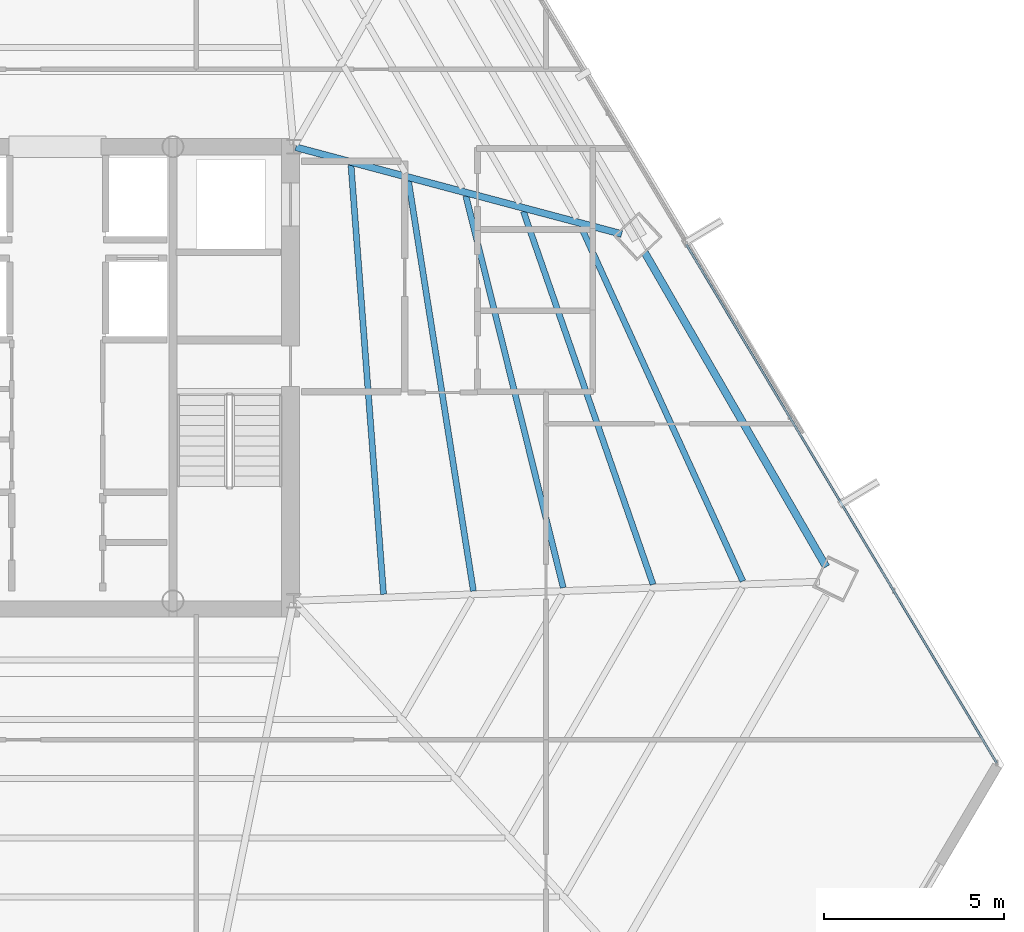
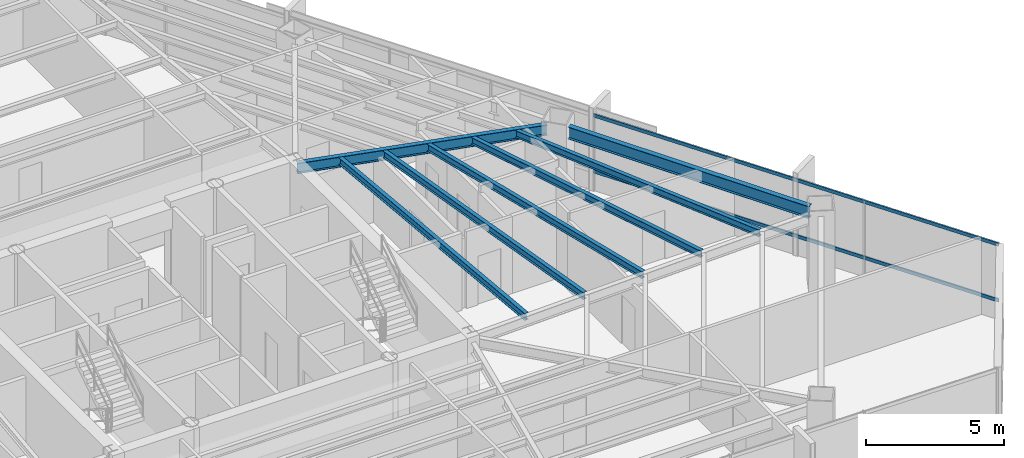
# One storey, part 22 of 41: 7 beams, 2 members, 1 element without a shape of its own.
"""IFC4 building model written with IfcOpenShell, lengths in metres."""

from ifc_helpers import new_model, si_unit, direction, frame, origin, origin_2d, place, context, subcontext, project, spatial, hollow_rectangle, i_section, extrude, source, transform, mapped, material, material_profile, profile_set, type_object, type_shapes, element, aggregate, save


model = new_model("IFC4")

# Units and contexts
model_context = context("Model", 3, precision=1e-05, world=origin(), true_north=direction((0.0, 1.0)))
body_context = subcontext(model_context, "Body", "Model", "MODEL_VIEW")
ifc_project = project(units=[si_unit("LENGTHUNIT", "METRE"), si_unit("AREAUNIT", "SQUARE_METRE"), si_unit("VOLUMEUNIT", "CUBIC_METRE"), si_unit("PLANEANGLEUNIT", "RADIAN"), si_unit("MASSUNIT", "GRAM", prefix="KILO")], contexts=[model_context])

# Site, building, storey
site_placement = place(None, origin())
site = spatial("IfcSite", under=ifc_project, at=site_placement, CompositionType="ELEMENT")
building_placement = place(site_placement, origin())
building = spatial("IfcBuilding", under=site, at=building_placement, Name="Caelisora Broadcast Tower", CompositionType="ELEMENT")
storey_placement = place(building_placement, frame((0.0, 0.0, 162.14990234375)))
storey = spatial("IfcBuildingStorey", under=building, at=storey_placement, Name="L42", CompositionType="ELEMENT", Elevation=162.14990234375)

# Beams
ifc_material_1 = material(Name="Steel Grade 350 (AS/NZS 3679.1)", Category="steel")
ifc_material_profile_1 = material_profile(ifc_material_1, i_section(OverallWidth=0.208984375, OverallDepth=0.532958984375, WebThickness=0.01025390625, FlangeThickness=0.015625, at=origin_2d()), Name="Steel Grade 350 (AS/NZS 3679.1)")
ifc_profile_set_1 = profile_set([ifc_material_profile_1], Name="Steel Grade 350 (AS/NZS 3679.1)")
beam_type_1 = type_object("IfcBeamType", Name="PG05", PredefinedType="BEAM", material=ifc_profile_set_1)
shared_shape_1 = source(origin(), body_context, "Body", "SweptSolid", [
    extrude(i_section(OverallWidth=0.208984375, OverallDepth=0.532958984375, WebThickness=0.01025390625, FlangeThickness=0.015625, at=origin_2d()), origin(), (0.0, 0.0, 1.0), 10.07568359375),
])
type_shapes(beam_type_1, [shared_shape_1])
beam_1_placement = place(storey_placement, frame((60.27392578125, 18.345703125, 3.133544921875), z_axis=(-0.49999861938, 0.866026200884, 0.0), x_axis=(-0.866026200884, -0.49999861938, 0.0)))
element("IfcBeam", 1, at=beam_1_placement, inside=storey, type_object=beam_type_1, Name="L42 beam PG05", PredefinedType="BEAM", context=body_context, shape_type="MappedRepresentation", body=[
    mapped(shared_shape_1, transform((0.0, 0.0, 0.0), scale=1.0)),
])
ifc_material_profile_2 = material_profile(ifc_material_1, i_section(OverallWidth=0.19091796875, OverallDepth=0.46044921875, WebThickness=0.010009765625, FlangeThickness=0.01611328125, at=origin_2d()), Name="Steel Grade 350 (AS/NZS 3679.1)")
ifc_profile_set_2 = profile_set([ifc_material_profile_2], Name="Steel Grade 350 (AS/NZS 3679.1)")
beam_type_2 = type_object("IfcBeamType", Name="PG06", PredefinedType="BEAM", material=ifc_profile_set_2)
shared_shape_2 = source(origin(), body_context, "Body", "SweptSolid", [
    extrude(i_section(OverallWidth=0.19091796875, OverallDepth=0.46044921875, WebThickness=0.010009765625, FlangeThickness=0.01611328125, at=origin_2d()), origin(), (0.0, 0.0, 1.0), 9.35693359375),
])
type_shapes(beam_type_2, [shared_shape_2])
beam_2_placement = place(storey_placement, frame((45.55810546875, 29.984619140625, 3.169921875), z_axis=(0.966353497444, -0.257217647095, 0.0), x_axis=(0.257217647095, 0.966353497444, 0.0)))
element("IfcBeam", 2, at=beam_2_placement, inside=storey, type_object=beam_type_2, Name="L42 beam PG06", PredefinedType="BEAM", context=body_context, shape_type="MappedRepresentation", body=[
    mapped(shared_shape_2, transform((0.0, 0.0, 0.0), scale=1.0)),
])
ifc_material_profile_3 = material_profile(ifc_material_1, i_section(OverallWidth=0.166015625, OverallDepth=0.30712890625, WebThickness=0.006591796875, FlangeThickness=0.01171875, at=origin_2d()), Name="Steel Grade 350 (AS/NZS 3679.1)")
ifc_profile_set_3 = profile_set([ifc_material_profile_3], Name="Steel Grade 350 (AS/NZS 3679.1)")
beam_type_3 = type_object("IfcBeamType", Name="SB03", PredefinedType="JOIST", material=ifc_profile_set_3)
shared_shape_3 = source(origin(), body_context, "Body", "SweptSolid", [
    extrude(i_section(OverallWidth=0.166015625, OverallDepth=0.30712890625, WebThickness=0.006591796875, FlangeThickness=0.01171875, at=origin_2d()), origin(), (0.0, 0.0, 1.0), 11.93115234375),
])
beam_3_placement = place(storey_placement, frame((47.99365234375, 17.58349609375, 3.24658203125), z_axis=(-0.075588586087, 0.997139090425, 0.0), x_axis=(-0.997139090425, -0.075588586087, 0.0)))
element("IfcBeam", 3, at=beam_3_placement, inside=storey, type_object=beam_type_3, Name="L42 beam SB03", PredefinedType="JOIST", context=body_context, shape_type="MappedRepresentation", body=[
    mapped(shared_shape_3, transform((0.0, 0.0, 0.0), scale=1.0)),
])
shared_shape_4 = source(origin(), body_context, "Body", "SweptSolid", [
    extrude(i_section(OverallWidth=0.166015625, OverallDepth=0.30712890625, WebThickness=0.006591796875, FlangeThickness=0.01171875, at=origin_2d()), origin(), (0.0, 0.0, 1.0), 11.523681640625),
])
beam_4_placement = place(storey_placement, frame((50.48681640625, 17.674560546875, 3.24658203125), z_axis=(-0.156395555916, 0.987694502409, 0.0), x_axis=(-0.987694502409, -0.156395555916, 0.0)))
element("IfcBeam", 4, at=beam_4_placement, inside=storey, type_object=beam_type_3, Name="L42 beam SB03", PredefinedType="JOIST", context=body_context, shape_type="MappedRepresentation", body=[
    mapped(shared_shape_4, transform((0.0, 0.0, 0.0), scale=1.0)),
])
shared_shape_5 = source(origin(), body_context, "Body", "SweptSolid", [
    extrude(i_section(OverallWidth=0.166015625, OverallDepth=0.30712890625, WebThickness=0.006591796875, FlangeThickness=0.01171875, at=origin_2d()), origin(), (0.0, 0.0, 1.0), 11.197265625),
])
beam_5_placement = place(storey_placement, frame((52.97900390625, 17.765380859375, 3.24658203125), z_axis=(-0.241170729956, 0.970482704128, 0.0), x_axis=(-0.970482704128, -0.241170729956, 0.0)))
element("IfcBeam", 5, at=beam_5_placement, inside=storey, type_object=beam_type_3, Name="L42 beam SB03", PredefinedType="JOIST", context=body_context, shape_type="MappedRepresentation", body=[
    mapped(shared_shape_5, transform((0.0, 0.0, 0.0), scale=1.0)),
])
shared_shape_6 = source(origin(), body_context, "Body", "SweptSolid", [
    extrude(i_section(OverallWidth=0.166015625, OverallDepth=0.30712890625, WebThickness=0.006591796875, FlangeThickness=0.01171875, at=origin_2d()), origin(), (0.0, 0.0, 1.0), 10.957763671875),
])
beam_6_placement = place(storey_placement, frame((55.470703125, 17.8564453125, 3.24658203125), z_axis=(-0.328206920724, 0.944605852824, 0.0), x_axis=(-0.944605852824, -0.328206920724, 0.0)))
element("IfcBeam", 6, at=beam_6_placement, inside=storey, type_object=beam_type_3, Name="L42 beam SB03", PredefinedType="JOIST", context=body_context, shape_type="MappedRepresentation", body=[
    mapped(shared_shape_6, transform((0.0, 0.0, 0.0), scale=1.0)),
])
shared_shape_7 = source(origin(), body_context, "Body", "SweptSolid", [
    extrude(i_section(OverallWidth=0.166015625, OverallDepth=0.30712890625, WebThickness=0.006591796875, FlangeThickness=0.01171875, at=origin_2d()), origin(), (0.0, 0.0, 1.0), 10.81103515625),
])
type_shapes(beam_type_3, [shared_shape_3, shared_shape_4, shared_shape_5, shared_shape_6, shared_shape_7])
beam_7_placement = place(storey_placement, frame((57.961669921875, 17.947509765625, 3.24658203125), z_axis=(-0.415318349989, 0.909676133666, 0.0), x_axis=(-0.909676133666, -0.415318349989, 0.0)))
element("IfcBeam", 7, at=beam_7_placement, inside=storey, type_object=beam_type_3, Name="L42 beam SB03", PredefinedType="JOIST", context=body_context, shape_type="MappedRepresentation", body=[
    mapped(shared_shape_7, transform((0.0, 0.0, 0.0), scale=1.0)),
])

# Curtain wall, members
ifc_material_2 = material(Name="Unitised Aluminium and Low-E Glass Curtain Wall", Category="glass")
curtain_wall_type = type_object("IfcCurtainWallType", Name="CW-Z3", PredefinedType="NOTDEFINED", material=ifc_material_2)
curtain_wall_placement = place(storey_placement, origin())
curtain_wall = element("IfcCurtainWall", 8, at=curtain_wall_placement, inside=storey, type_object=curtain_wall_type, Name="L42 curtain wall CW-Z3", PredefinedType="NOTDEFINED")
ifc_material_3 = material(Name="Aluminium 6063-T6 Anodised Terracotta Bronze", Category="aluminium")
ifc_material_profile_4 = material_profile(ifc_material_3, hollow_rectangle(XDim=0.06005859375, YDim=0.14990234375, WallThickness=0.00341796875, at=origin_2d()), Name="Aluminium 6063-T6 Anodised Terracotta Bronze")
ifc_profile_set_4 = profile_set([ifc_material_profile_4], Name="Aluminium 6063-T6 Anodised Terracotta Bronze")
member_type = type_object("IfcMemberType", Name="CWT-02", PredefinedType="USERDEFINED", material=ifc_profile_set_4)
shared_shape_8 = source(origin(), body_context, "Body", "SweptSolid", [
    extrude(hollow_rectangle(XDim=0.06005859375, YDim=0.14990234375, WallThickness=0.00341796875, at=origin_2d()), origin(), (0.0, 0.0, 1.0), 16.775146484375),
])
type_shapes(member_type, [shared_shape_8])
member_1_placement = place(storey_placement, frame((56.39208984375, 27.291748046875, 0.85009765625), z_axis=(0.513573006313, -0.858045900396, 0.0), x_axis=(0.858045900396, 0.513573006313, 0.0)))
member_1 = element("IfcMember", 9, at=member_1_placement, type_object=member_type, Name="L42-CW-B03 transom #1", ObjectType="TRANSOM", PredefinedType="USERDEFINED", context=body_context, shape_type="MappedRepresentation", body=[
    mapped(shared_shape_8, transform((0.0, 0.0, 0.0), scale=1.0)),
])
member_2_placement = place(storey_placement, frame((56.39208984375, 27.291748046875, 3.320068359375), z_axis=(0.513573006313, -0.858045900396, 0.0), x_axis=(0.858045900396, 0.513573006313, 0.0)))
member_2 = element("IfcMember", 10, at=member_2_placement, type_object=member_type, Name="L42-CW-B03 transom #2", ObjectType="TRANSOM", PredefinedType="USERDEFINED", context=body_context, shape_type="MappedRepresentation", body=[
    mapped(shared_shape_8, transform((0.0, 0.0, 0.0), scale=1.0)),
])
aggregate(curtain_wall, [member_1, member_2])

save(model, "model.ifc")
